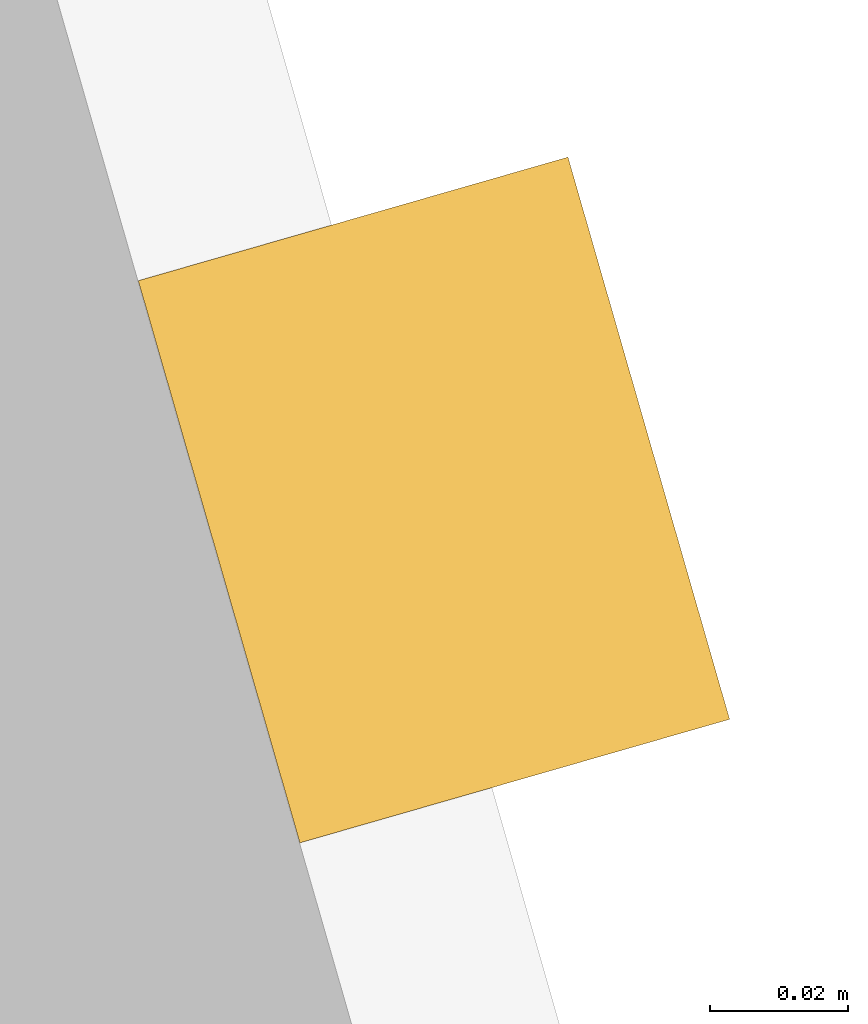
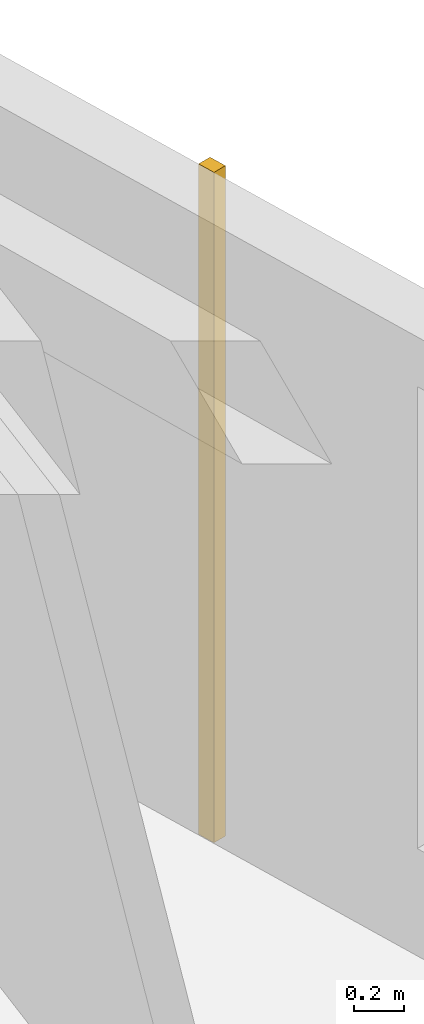
# One storey, part 74 of 74: 1 covering.
"""IFC4 building model written with IfcOpenShell, lengths in metres."""

from ifc_helpers import new_model, si_unit, direction, frame, origin, origin_2d, place, context, subcontext, project, spatial, rectangle, extrude, material, layer, layer_set, type_object, element, save


model = new_model("IFC4")

# Units and contexts
model_context = context("Model", 3, precision=1e-05, world=origin(), true_north=direction((0.0, 1.0)))
body_context = subcontext(model_context, "Body", "Model", "MODEL_VIEW")
ifc_project = project(units=[si_unit("LENGTHUNIT", "METRE"), si_unit("AREAUNIT", "SQUARE_METRE"), si_unit("VOLUMEUNIT", "CUBIC_METRE"), si_unit("PLANEANGLEUNIT", "RADIAN"), si_unit("MASSUNIT", "GRAM", prefix="KILO")], contexts=[model_context])

# Site, building, storey
site_placement = place(None, origin())
site = spatial("IfcSite", under=ifc_project, at=site_placement, CompositionType="ELEMENT")
building_placement = place(site_placement, origin())
building = spatial("IfcBuilding", under=site, at=building_placement, Name="Kestramere Prow Commons", CompositionType="ELEMENT")
storey_placement = place(building_placement, frame((0.0, 0.0, 11.64990234375)))
storey = spatial("IfcBuildingStorey", under=building, at=storey_placement, Name="L03", CompositionType="ELEMENT", Elevation=11.64990234375)

# Covering
ifc_material = material(Name="Weathered Zinc-Titanium Standing-Seam Cladding")
ifc_layer = layer(ifc_material, 0.074951171875)
ifc_layer_set = layer_set([ifc_layer], Name="Weathered Zinc-Titanium Standing-Seam Cladding")
covering_type = type_object("IfcCoveringType", Name="COV-CLAD-SEAM", PredefinedType="CLADDING", material=ifc_layer_set)
covering_placement = place(storey_placement, frame((160.954345703125, 108.273193359375, -0.25), z_axis=(0.0, 0.0, 1.0), x_axis=(0.27631844013, -0.961066136977, 0.0)))
element("IfcCovering", 1, at=covering_placement, inside=storey, type_object=covering_type, Name="EW-B-L03-PRW-N Standing-Seam Rib 1", PredefinedType="CLADDING", context=body_context, shape_type="SweptSolid", body=[
    extrude(rectangle(XDim=0.0849609375, YDim=0.06494140625, at=origin_2d()), origin(), (0.0, 0.0, 1.0), 3.25),
])

save(model, "model.ifc")
